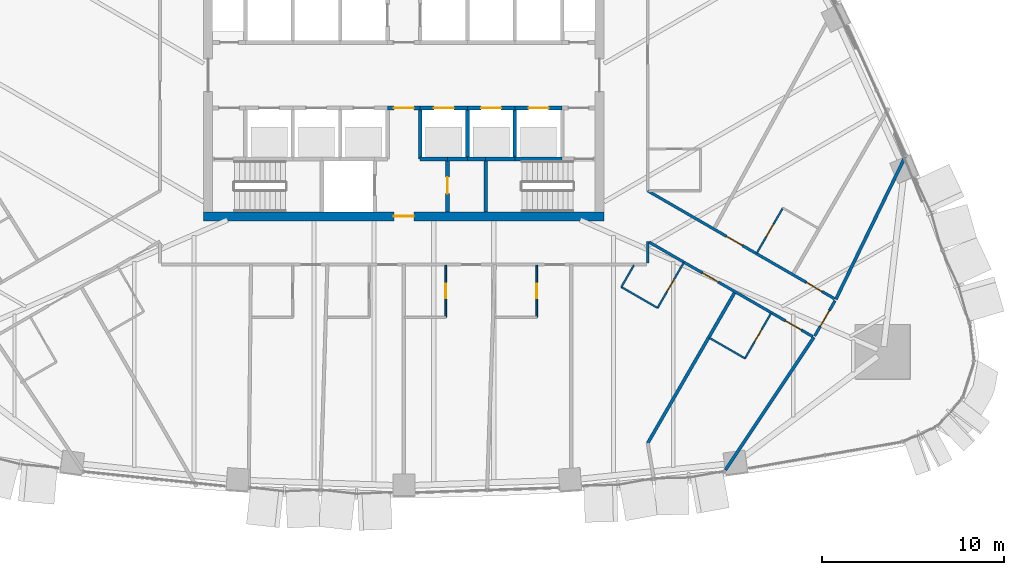
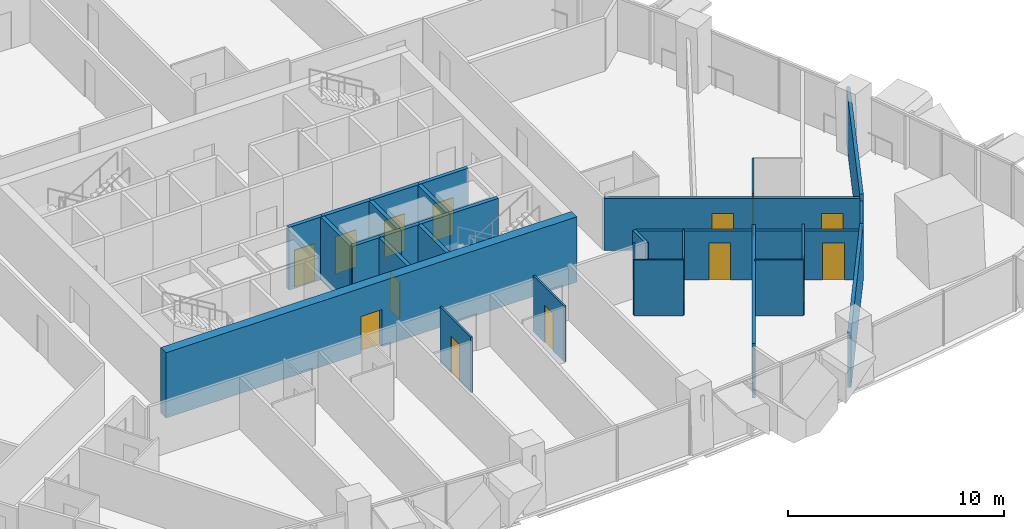
# One storey, part 13 of 19: 30 walls, 16 doors, 16 openings.
"""IFC4 building model written with IfcOpenShell, lengths in metres."""

import ifcopenshell
import ifcopenshell.guid

model = None  # the IFC model being written
_history = None  # IfcOwnerHistory: only IFC2X3 demands one
_inside = {}  # id of a spatial element -> (the spatial element, [elements in it])
_under = {}  # id of a project, library or spatial element -> (it, [spatial elements below it])
_declared = {}  # id of a project -> (the project, [libraries it declares])
_typed = {}  # id of a type object -> (the type object, [elements of that type])
_made_of = {}  # id of a material, layer set ... -> (it, [elements and type objects made of it])


def new_model(schema):
    """Start an empty IFC model of exactly this schema.

    Asked for "IFC4X3", IfcOpenShell would pick the latest addendum, in which some entities
    have other attributes; the version numbers below select the first issue.
    IFC2X3 requires an IfcOwnerHistory on every rooted entity: one is made here for all.
    """
    global model, _history
    if schema == "IFC4X3":
        model = ifcopenshell.file(schema_version=(4, 3, 0, 0))
    else:
        model = ifcopenshell.file(schema=schema)
    _inside.clear()
    _under.clear()
    _declared.clear()
    _typed.clear()
    _made_of.clear()
    _history = None
    if model.schema == "IFC2X3":
        org = make("IfcOrganization", Name="unknown")
        user = make(
            "IfcPersonAndOrganization",
            ThePerson=make("IfcPerson", FamilyName="unknown"),
            TheOrganization=org,
        )
        app = make(
            "IfcApplication",
            ApplicationDeveloper=org,
            Version="unknown",
            ApplicationFullName="unknown",
            ApplicationIdentifier="unknown",
        )
        _history = make(
            "IfcOwnerHistory",
            OwningUser=user,
            OwningApplication=app,
            ChangeAction="ADDED",
            CreationDate=0,
        )
    return model


def make(cls, **values):
    """One entity of the class cls with the attributes given. An attribute that is None is left unset."""
    return model.create_entity(
        cls, **{name: value for name, value in values.items() if value is not None}
    )


def rooted(cls, **values):
    """An entity with a GlobalId (a new one), such as an element, a storey or a relation."""
    return make(cls, GlobalId=ifcopenshell.guid.new(), OwnerHistory=_history, **values)


def si_unit(unit_type, name, prefix=None):
    """IfcSIUnit, for example si_unit("LENGTHUNIT", "METRE", prefix="MILLI")."""
    return make("IfcSIUnit", UnitType=unit_type, Prefix=prefix, Name=name)


def assignment(units):
    """IfcUnitAssignment: the units of a project."""
    return None if units is None else make("IfcUnitAssignment", Units=units)


def point(xyz):
    """IfcCartesianPoint."""
    return None if xyz is None else make("IfcCartesianPoint", Coordinates=xyz)


def direction(xyz):
    """IfcDirection."""
    return None if xyz is None else make("IfcDirection", DirectionRatios=xyz)


def frame(location, z_axis=None, x_axis=None):
    """IfcAxis2Placement3D, a coordinate frame: its origin and axes. An axis left out is left unset."""
    return make(
        "IfcAxis2Placement3D",
        Location=point(location),
        Axis=direction(z_axis),
        RefDirection=direction(x_axis),
    )


def frame_2d(location, x_axis=None):
    """IfcAxis2Placement2D, a coordinate frame in the plane: its origin and x axis."""
    return make(
        "IfcAxis2Placement2D", Location=point(location), RefDirection=direction(x_axis)
    )


def origin():
    """The frame at (0, 0, 0) with its axes left unset."""
    return frame((0.0, 0.0, 0.0))


def place(relative_to, where):
    """IfcLocalPlacement: puts the frame where relative to a parent placement (None: the world)."""
    return make(
        "IfcLocalPlacement", PlacementRelTo=relative_to, RelativePlacement=where
    )


def context(
    kind, dimensions, precision=None, world=None, true_north=None, identifier=None
):
    """IfcGeometricRepresentationContext, for example the 3D "Model" context."""
    return make(
        "IfcGeometricRepresentationContext",
        ContextIdentifier=identifier,
        ContextType=kind,
        CoordinateSpaceDimension=dimensions,
        Precision=precision,
        WorldCoordinateSystem=world,
        TrueNorth=true_north,
    )


def subcontext(parent, identifier, kind, view, scale=None):
    """IfcGeometricRepresentationSubContext, for example "Body" below "Model"."""
    return make(
        "IfcGeometricRepresentationSubContext",
        ContextIdentifier=identifier,
        ContextType=kind,
        ParentContext=parent,
        TargetScale=scale,
        TargetView=view,
    )


def project(units=None, contexts=None):
    """IfcProject with its units and contexts."""
    return rooted(
        "IfcProject",
        Name="project",
        RepresentationContexts=contexts,
        UnitsInContext=assignment(units),
    )


def spatial(cls, under=None, at=None, **own):
    """A site, building, storey or space (cls), placed at a placement, below another one or the project."""
    s = rooted(cls, ObjectPlacement=at, **own)
    if under is not None:
        _under.setdefault(under.id(), (under, []))[1].append(s)
    return s


def profile(cls, at=None, kind="AREA", **sizes):
    """A parametric profile (cls). Its sizes go by their IFC names, for example OverallWidth=200.0."""
    return make(cls, ProfileType=kind, Position=at, **sizes)


def rectangle(**sizes):
    """IfcRectangleProfileDef."""
    return profile("IfcRectangleProfileDef", **sizes)


def extrude(swept, where, along, depth):
    """IfcExtrudedAreaSolid: the profile swept, set in the frame where, extruded along a direction by depth."""
    return make(
        "IfcExtrudedAreaSolid",
        SweptArea=swept,
        Position=where,
        ExtrudedDirection=direction(along),
        Depth=depth,
    )


def shape(context_of_items, identifier, shape_type, items):
    """IfcShapeRepresentation: the items that make up one representation, for example the "Body"."""
    return make(
        "IfcShapeRepresentation",
        ContextOfItems=context_of_items,
        RepresentationIdentifier=identifier,
        RepresentationType=shape_type,
        Items=items,
    )


def material(Name=None, Category=None):
    """IfcMaterial."""
    return make("IfcMaterial", Name=Name, Category=Category)


def layer(
    of_material, thickness, ventilated=None, Name=None, Category=None, Priority=None
):
    """IfcMaterialLayer: one layer of a wall or slab, of a material (None: an air gap)."""
    return make(
        "IfcMaterialLayer",
        Material=of_material,
        LayerThickness=thickness,
        IsVentilated=ventilated,
        Name=Name,
        Category=Category,
        Priority=Priority,
    )


def layer_set(layers, Name=None):
    """IfcMaterialLayerSet."""
    return make("IfcMaterialLayerSet", MaterialLayers=layers, LayerSetName=Name)


def made_of(thing, what):
    """Note that an element or type object is made of a material, layer set ...; save() writes the relation."""
    if what is not None:
        _made_of.setdefault(what.id(), (what, []))[1].append(thing)
    return thing


def type_object(cls, material=None, **own):
    """A type object (cls), such as IfcWallType, which elements share."""
    return made_of(rooted(cls, **own), material)


def element(
    cls,
    number,
    at=None,
    inside=None,
    cuts=None,
    type_object=None,
    material=None,
    context=None,
    identifier="Body",
    shape_type=None,
    held_by="IfcProductDefinitionShape",
    body=None,
    shapes=None,
    **own,
):
    """One element of the class cls, such as IfcWall. Its Tag is "e" and its number.

    at: its placement. inside: the storey or other place that contains it. cuts: it is an
    opening in that element (IfcRelVoidsElement). A single representation is given by context,
    identifier, shape_type and body (its items); several are given by shapes. held_by: the class
    of the entity that holds the representations. save() writes the other relations.
    """
    e = rooted(cls, Tag="e%d" % number, ObjectPlacement=at, **own)
    if body is not None:
        shapes = [shape(context, identifier, shape_type, body)]
    if shapes is not None:
        e.Representation = make(held_by, Representations=shapes)
    if inside is not None:
        _inside.setdefault(inside.id(), (inside, []))[1].append(e)
    if cuts is not None:
        rooted(
            "IfcRelVoidsElement", RelatingBuildingElement=cuts, RelatedOpeningElement=e
        )
    if type_object is not None:
        _typed.setdefault(type_object.id(), (type_object, []))[1].append(e)
    return made_of(e, material)


def fill(opening, filler):
    """IfcRelFillsElement: the door or window that sits in an opening."""
    return rooted(
        "IfcRelFillsElement",
        RelatingOpeningElement=opening,
        RelatedBuildingElement=filler,
    )


def aggregate(whole, parts):
    """IfcRelAggregates: a whole, such as a stair, and the parts it consists of."""
    return rooted("IfcRelAggregates", RelatingObject=whole, RelatedObjects=parts)


def save(model, path):
    """Write the relations noted so far, then the file.

    IfcRelAggregates (storeys below a building ...), IfcRelContainedInSpatialStructure (elements
    in a storey), IfcRelDefinesByType, IfcRelAssociatesMaterial and IfcRelDeclares: one each for
    every whole, place, type object, material and project.
    """
    for whole, parts in _under.values():
        aggregate(whole, parts)
    for where, things in _inside.values():
        rooted(
            "IfcRelContainedInSpatialStructure",
            RelatedElements=things,
            RelatingStructure=where,
        )
    for kind, things in _typed.values():
        rooted("IfcRelDefinesByType", RelatedObjects=things, RelatingType=kind)
    for what, things in _made_of.values():
        rooted("IfcRelAssociatesMaterial", RelatedObjects=things, RelatingMaterial=what)
    for by, libraries in _declared.values():
        rooted("IfcRelDeclares", RelatingContext=by, RelatedDefinitions=libraries)
    model.write(path)


model = new_model("IFC4")

# Units and contexts
model_context = context("Model", 3, precision=1e-05, world=origin(), true_north=direction((0.0, 1.0)))
body_context = subcontext(model_context, "Body", "Model", "MODEL_VIEW")
ifc_project = project(units=[si_unit("LENGTHUNIT", "METRE"), si_unit("AREAUNIT", "SQUARE_METRE"), si_unit("VOLUMEUNIT", "CUBIC_METRE"), si_unit("PLANEANGLEUNIT", "RADIAN"), si_unit("MASSUNIT", "GRAM", prefix="KILO")], contexts=[model_context])

# Site, building, storey
site_placement = place(None, origin())
site = spatial("IfcSite", under=ifc_project, at=site_placement, CompositionType="ELEMENT")
building_placement = place(site_placement, origin())
building = spatial("IfcBuilding", under=site, at=building_placement, Name="Sierra Prisma Convention Tower", CompositionType="ELEMENT")
storey_placement = place(building_placement, frame((0.0, 0.0, 77.60009765625)))
storey = spatial("IfcBuildingStorey", under=building, at=storey_placement, Name="L15", CompositionType="ELEMENT", Elevation=77.60009765625)

# Wall, opening, door
ifc_material_1 = material(Name="Gypsum board partition", Category="gypsum")
ifc_layer_1 = layer(ifc_material_1, 0.10009765625)
ifc_layer_set_1 = layer_set([ifc_layer_1], Name="Bathroom partition 100")
wall_type_1 = type_object("IfcWallType", Name="Bathroom partition 100", PredefinedType="PARTITIONING", material=ifc_layer_set_1)
wall_1_placement = place(storey_placement, frame((2.300048828125, -10.429931640625, 0.0), z_axis=(0.0, 0.0, 1.0), x_axis=(0.0, -1.0, 0.0)))
wall_1 = element("IfcWall", 1, at=wall_1_placement, inside=storey, type_object=wall_type_1, Name="Partition L15 bath 17", PredefinedType="PARTITIONING", context=body_context, shape_type="SweptSolid", body=[
    extrude(rectangle(XDim=2.8701171875, YDim=0.10009765625, at=frame_2d((1.43505859375, 0.0))), origin(), (0.0, 0.0, 1.0), 3.14990234375),
])
opening_1_placement = place(wall_1_placement, frame((1.034912109375, 0.0, 0.0)))
opening_1 = element("IfcOpeningElement", 2, at=opening_1_placement, cuts=wall_1, Name="Opening L15-D011", PredefinedType="OPENING", context=body_context, shape_type="SweptSolid", body=[
    extrude(rectangle(XDim=0.800048828125, YDim=2.10009765625, at=frame_2d((0.39990234375, 1.050048828125))), frame((0.0, 0.050048828125, 0.0), z_axis=(0.0, -1.0, 0.0), x_axis=(1.0, 0.0, 0.0)), (0.0, 0.0, 1.0), 0.10009765625),
])
ifc_material_2 = material(Name="Solid core timber door leaf", Category="wood")
door_type_1 = type_object("IfcDoorType", Name="Door 800x2100 plain", OperationType="SINGLE_SWING_LEFT", PredefinedType="DOOR", material=ifc_material_2)
door_1_placement = place(opening_1_placement, origin())
door_1 = element("IfcDoor", 3, at=door_1_placement, inside=storey, type_object=door_type_1, Name="Door L15 27", OperationType="SINGLE_SWING_RIGHT", OverallHeight=2.10009765625, OverallWidth=0.800048828125, PredefinedType="DOOR", context=body_context, shape_type="SweptSolid", body=[
    extrude(rectangle(XDim=0.800048828125, YDim=2.10009765625, at=frame_2d((0.39990234375, 1.050048828125))), frame((0.0, 0.02490234375, 0.0), z_axis=(0.0, -1.0, 0.0), x_axis=(1.0, 0.0, 0.0)), (0.0, 0.0, 1.0), 0.050048828125),
])
fill(opening_1, door_1)

wall_2_placement = place(storey_placement, frame((7.300048828125, -10.429931640625, 0.0), z_axis=(0.0, 0.0, 1.0), x_axis=(0.0, -1.0, 0.0)))
wall_2 = element("IfcWall", 4, at=wall_2_placement, inside=storey, type_object=wall_type_1, Name="Partition L15 bath 21", PredefinedType="PARTITIONING", context=body_context, shape_type="SweptSolid", body=[
    extrude(rectangle(XDim=2.8701171875, YDim=0.10009765625, at=frame_2d((1.43505859375, 0.0))), origin(), (0.0, 0.0, 1.0), 3.14990234375),
])
opening_2_placement = place(wall_2_placement, frame((1.034912109375, 0.0, 0.0)))
opening_2 = element("IfcOpeningElement", 5, at=opening_2_placement, cuts=wall_2, Name="Opening L15-D012", PredefinedType="OPENING", context=body_context, shape_type="SweptSolid", body=[
    extrude(rectangle(XDim=0.800048828125, YDim=2.10009765625, at=frame_2d((0.39990234375, 1.050048828125))), frame((0.0, 0.050048828125, 0.0), z_axis=(0.0, -1.0, 0.0), x_axis=(1.0, 0.0, 0.0)), (0.0, 0.0, 1.0), 0.10009765625),
])
door_2_placement = place(opening_2_placement, origin())
door_2 = element("IfcDoor", 6, at=door_2_placement, inside=storey, type_object=door_type_1, Name="Door L15 29", OperationType="SINGLE_SWING_RIGHT", OverallHeight=2.10009765625, OverallWidth=0.800048828125, PredefinedType="DOOR", context=body_context, shape_type="SweptSolid", body=[
    extrude(rectangle(XDim=0.800048828125, YDim=2.10009765625, at=frame_2d((0.39990234375, 1.050048828125))), frame((0.0, 0.02490234375, 0.0), z_axis=(0.0, -1.0, 0.0), x_axis=(1.0, 0.0, 0.0)), (0.0, 0.0, 1.0), 0.050048828125),
])
fill(opening_2, door_2)

wall_3_placement = place(storey_placement, frame((15.376953125, -10.298095703125, 0.0), z_axis=(0.0, 0.0, 1.0), x_axis=(-0.499999802827, -0.866025517622, 0.0)))
wall_3 = element("IfcWall", 7, at=wall_3_placement, inside=storey, type_object=wall_type_1, Name="Partition L15 bath 23", PredefinedType="PARTITIONING", context=body_context, shape_type="SweptSolid", body=[
    extrude(rectangle(XDim=2.8701171875, YDim=0.10009765625, at=frame_2d((1.43505859375, 0.0))), origin(), (0.0, 0.0, 1.0), 2.796875),
])
opening_3_placement = place(wall_3_placement, frame((1.034912109375, 0.0, 0.0)))
opening_3 = element("IfcOpeningElement", 8, at=opening_3_placement, cuts=wall_3, Name="Opening L15-D013", PredefinedType="OPENING", context=body_context, shape_type="SweptSolid", body=[
    extrude(rectangle(XDim=0.800048828125, YDim=2.10009765625, at=frame_2d((0.39990234375, 1.050048828125))), frame((0.0, 0.050048828125, 0.0), z_axis=(0.0, -1.0, 0.0), x_axis=(1.0, 0.0, 0.0)), (0.0, 0.0, 1.0), 0.10009765625),
])
door_3_placement = place(opening_3_placement, origin())
door_3 = element("IfcDoor", 9, at=door_3_placement, inside=storey, type_object=door_type_1, Name="Door L15 31", OperationType="SINGLE_SWING_RIGHT", OverallHeight=2.10009765625, OverallWidth=0.800048828125, PredefinedType="DOOR", context=body_context, shape_type="SweptSolid", body=[
    extrude(rectangle(XDim=0.800048828125, YDim=2.10009765625, at=frame_2d((0.39990234375, 1.050048828125))), frame((0.0, 0.02490234375, 0.0), z_axis=(0.0, -1.0, 0.0), x_axis=(1.0, 0.0, 0.0)), (0.0, 0.0, 1.0), 0.050048828125),
])
fill(opening_3, door_3)

# Walls
wall_4_placement = place(storey_placement, frame((13.94189453125, -12.78369140625, 0.0), z_axis=(0.0, 0.0, 1.0), x_axis=(-0.866007057882, 0.500031774688, 0.0)))
element("IfcWall", 10, at=wall_4_placement, inside=storey, type_object=wall_type_1, Name="Partition L15 bath 24", PredefinedType="PARTITIONING", context=body_context, shape_type="SweptSolid", body=[
    extrude(rectangle(XDim=2.300048828125, YDim=0.10009765625, at=frame_2d((1.14990234375, 0.0))), origin(), (0.0, 0.0, 1.0), 3.14990234375),
])
wall_5_placement = place(storey_placement, frame((11.949951171875, -11.633544921875, 0.0), z_axis=(0.0, 0.0, 1.0), x_axis=(0.500087364259, 0.86597495813, 0.0)))
element("IfcWall", 11, at=wall_5_placement, inside=storey, type_object=wall_type_1, Name="Partition L15 bath 25", PredefinedType="PARTITIONING", context=body_context, shape_type="SweptSolid", body=[
    extrude(rectangle(XDim=1.389892578125, YDim=0.10009765625, at=frame_2d((0.69482421875, 0.0))), origin(), (0.0, 0.0, 1.0), 3.14990234375),
])

# Wall, opening, door
wall_6_placement = place(storey_placement, frame((20.17919921875, -13.07080078125, 0.0), z_axis=(0.0, 0.0, 1.0), x_axis=(-0.500036638401, -0.866004249561, 0.0)))
wall_6 = element("IfcWall", 12, at=wall_6_placement, inside=storey, type_object=wall_type_1, Name="Partition L15 bath 29", PredefinedType="PARTITIONING", context=body_context, shape_type="SweptSolid", body=[
    extrude(rectangle(XDim=2.869873046875, YDim=0.10009765625, at=frame_2d((1.43505859375, 0.0))), origin(), (0.0, 0.0, 1.0), 3.14990234375),
])
opening_4_placement = place(wall_6_placement, frame((1.034912109375, 0.0, 0.0)))
opening_4 = element("IfcOpeningElement", 13, at=opening_4_placement, cuts=wall_6, Name="Opening L15-D014", PredefinedType="OPENING", context=body_context, shape_type="SweptSolid", body=[
    extrude(rectangle(XDim=0.800048828125, YDim=2.10009765625, at=frame_2d((0.39990234375, 1.050048828125))), frame((0.0, 0.050048828125, 0.0), z_axis=(0.0, -1.0, 0.0), x_axis=(1.0, 0.0, 0.0)), (0.0, 0.0, 1.0), 0.10009765625),
])
door_4_placement = place(opening_4_placement, origin())
door_4 = element("IfcDoor", 14, at=door_4_placement, inside=storey, type_object=door_type_1, Name="Door L15 33", OperationType="SINGLE_SWING_RIGHT", OverallHeight=2.10009765625, OverallWidth=0.800048828125, PredefinedType="DOOR", context=body_context, shape_type="SweptSolid", body=[
    extrude(rectangle(XDim=0.800048828125, YDim=2.10009765625, at=frame_2d((0.39990234375, 1.050048828125))), frame((0.0, 0.02490234375, 0.0), z_axis=(0.0, -1.0, 0.0), x_axis=(1.0, 0.0, 0.0)), (0.0, 0.0, 1.0), 0.050048828125),
])
fill(opening_4, door_4)

# Wall
wall_7_placement = place(storey_placement, frame((18.744140625, -15.55615234375, 0.0), z_axis=(0.0, 0.0, 1.0), x_axis=(-0.866017224141, 0.500014167291, 0.0)))
element("IfcWall", 15, at=wall_7_placement, inside=storey, type_object=wall_type_1, Name="Partition L15 bath 30", PredefinedType="PARTITIONING", context=body_context, shape_type="SweptSolid", body=[
    extrude(rectangle(XDim=2.27001953125, YDim=0.10009765625, at=frame_2d((1.135009765625, 0.0))), origin(), (0.0, 0.0, 1.0), 3.14990234375),
])

# Wall, opening, door
wall_8_placement = place(storey_placement, frame((19.390625, -9.77490234375, 0.0), z_axis=(0.0, 0.0, 1.0), x_axis=(0.499999802827, 0.866025517622, 0.0)))
wall_8 = element("IfcWall", 16, at=wall_8_placement, inside=storey, type_object=wall_type_1, Name="Partition L15 bath 31", PredefinedType="PARTITIONING", context=body_context, shape_type="SweptSolid", body=[
    extrude(rectangle(XDim=2.8701171875, YDim=0.10009765625, at=frame_2d((1.43505859375, 0.0))), origin(), (0.0, 0.0, 1.0), 3.14990234375),
])
opening_5_placement = place(wall_8_placement, frame((1.034912109375, 0.0, 0.0)))
opening_5 = element("IfcOpeningElement", 17, at=opening_5_placement, cuts=wall_8, Name="Opening L15-D015", PredefinedType="OPENING", context=body_context, shape_type="SweptSolid", body=[
    extrude(rectangle(XDim=0.800048828125, YDim=2.10009765625, at=frame_2d((0.39990234375, 1.050048828125))), frame((0.0, 0.050048828125, 0.0), z_axis=(0.0, -1.0, 0.0), x_axis=(1.0, 0.0, 0.0)), (0.0, 0.0, 1.0), 0.10009765625),
])
door_5_placement = place(opening_5_placement, origin())
door_5 = element("IfcDoor", 18, at=door_5_placement, inside=storey, type_object=door_type_1, Name="Door L15 37", OperationType="SINGLE_SWING_LEFT", OverallHeight=2.10009765625, OverallWidth=0.800048828125, PredefinedType="DOOR", context=body_context, shape_type="SweptSolid", body=[
    extrude(rectangle(XDim=0.800048828125, YDim=2.10009765625, at=frame_2d((0.39990234375, 1.050048828125))), frame((0.0, 0.02490234375, 0.0), z_axis=(0.0, -1.0, 0.0), x_axis=(1.0, 0.0, 0.0)), (0.0, 0.0, 1.0), 0.050048828125),
])
fill(opening_5, door_5)

ifc_material_3 = material(Name="Concrete C30/37", Category="concrete")
ifc_layer_2 = layer(ifc_material_3, 0.199951171875)
ifc_layer_set_2 = layer_set([ifc_layer_2], Name="Core wall RC 200 C30/37")
wall_type_2 = type_object("IfcWallType", Name="Core wall RC 200 C30/37", PredefinedType="SOLIDWALL", material=ifc_layer_set_2)
wall_9_placement = place(storey_placement, frame((-0.89990234375, -1.800048828125, 0.0), z_axis=(0.0, 0.0, 1.0), x_axis=(1.0, 0.0, 0.0)))
wall_9 = element("IfcWall", 19, at=wall_9_placement, inside=storey, type_object=wall_type_2, Name="Core wall L15 32", PredefinedType="SOLIDWALL", context=body_context, shape_type="SweptSolid", body=[
    extrude(rectangle(XDim=1.7998046875, YDim=0.199951171875, at=frame_2d((0.89990234375, 0.0))), origin(), (0.0, 0.0, 1.0), 3.5498046875),
])
opening_6_placement = place(wall_9_placement, frame((0.35009765625, 0.0, 0.0)))
opening_6 = element("IfcOpeningElement", 20, at=opening_6_placement, cuts=wall_9, Name="Opening L15-D028", PredefinedType="OPENING", context=body_context, shape_type="SweptSolid", body=[
    extrude(rectangle(XDim=1.10009765625, YDim=2.10009765625, at=frame_2d((0.550048828125, 1.050048828125))), frame((0.0, 0.10009765625, 0.0), z_axis=(0.0, -1.0, 0.0), x_axis=(1.0, 0.0, 0.0)), (0.0, 0.0, 1.0), 0.199951171875),
])
ifc_material_4 = material(Name="Steel fire door leaf", Category="steel")
door_type_2 = type_object("IfcDoorType", Name="Door 1100x2100 FD30S", OperationType="SINGLE_SWING_LEFT", PredefinedType="DOOR", material=ifc_material_4)
door_6_placement = place(opening_6_placement, origin())
door_6 = element("IfcDoor", 21, at=door_6_placement, inside=storey, type_object=door_type_2, Name="Door L15 50", OperationType="SINGLE_SWING_LEFT", OverallHeight=2.10009765625, OverallWidth=1.10009765625, PredefinedType="DOOR", context=body_context, shape_type="SweptSolid", body=[
    extrude(rectangle(XDim=1.10009765625, YDim=2.10009765625, at=frame_2d((0.550048828125, 1.050048828125))), frame((0.0, 0.02490234375, 0.0), z_axis=(0.0, -1.0, 0.0), x_axis=(1.0, 0.0, 0.0)), (0.0, 0.0, 1.0), 0.050048828125),
])
fill(opening_6, door_6)

wall_10_placement = place(storey_placement, frame((0.89990234375, -1.800048828125, 0.0), z_axis=(0.0, 0.0, 1.0), x_axis=(1.0, 0.0, 0.0)))
wall_10 = element("IfcWall", 22, at=wall_10_placement, inside=storey, type_object=wall_type_2, Name="Core wall L15 34", PredefinedType="SOLIDWALL", context=body_context, shape_type="SweptSolid", body=[
    extrude(rectangle(XDim=2.60009765625, YDim=0.199951171875, at=frame_2d((1.300048828125, 0.0))), origin(), (0.0, 0.0, 1.0), 3.5498046875),
])
opening_7_placement = place(wall_10_placement, frame((0.75, 0.0, 0.0)))
opening_7 = element("IfcOpeningElement", 23, at=opening_7_placement, cuts=wall_10, Name="Opening L15-D019", PredefinedType="OPENING", context=body_context, shape_type="SweptSolid", body=[
    extrude(rectangle(XDim=1.10009765625, YDim=2.10009765625, at=frame_2d((0.550048828125, 1.050048828125))), frame((0.0, 0.10009765625, 0.0), z_axis=(0.0, -1.0, 0.0), x_axis=(1.0, 0.0, 0.0)), (0.0, 0.0, 1.0), 0.199951171875),
])
ifc_material_5 = material(Name="Steel fire door leaf", Category="steel")
door_type_3 = type_object("IfcDoorType", Name="Door 1100x2100 EI 90 sliding lift landing", OperationType="SLIDING_TO_LEFT", PredefinedType="DOOR", material=ifc_material_5)
door_7_placement = place(opening_7_placement, origin())
door_7 = element("IfcDoor", 24, at=door_7_placement, inside=storey, type_object=door_type_3, Name="Door L15 41", OperationType="SLIDING_TO_LEFT", OverallHeight=2.10009765625, OverallWidth=1.10009765625, PredefinedType="DOOR", context=body_context, shape_type="SweptSolid", body=[
    extrude(rectangle(XDim=1.10009765625, YDim=2.10009765625, at=frame_2d((0.550048828125, 1.050048828125))), frame((0.0, 0.02490234375, 0.0), z_axis=(0.0, -1.0, 0.0), x_axis=(1.0, 0.0, 0.0)), (0.0, 0.0, 1.0), 0.050048828125),
])
fill(opening_7, door_7)

# Walls
wall_11_placement = place(storey_placement, frame((0.89990234375, -1.800048828125, 0.0), z_axis=(0.0, 0.0, 1.0), x_axis=(0.0, -1.0, 0.0)))
element("IfcWall", 25, at=wall_11_placement, inside=storey, type_object=wall_type_2, Name="Core wall L15 35", PredefinedType="SOLIDWALL", context=body_context, shape_type="SweptSolid", body=[
    extrude(rectangle(XDim=2.800048828125, YDim=0.199951171875, at=frame_2d((1.39990234375, 0.0))), origin(), (0.0, 0.0, 1.0), 3.5498046875),
])
wall_12_placement = place(storey_placement, frame((0.89990234375, -4.60009765625, 0.0), z_axis=(0.0, 0.0, 1.0), x_axis=(1.0, 0.0, 0.0)))
element("IfcWall", 26, at=wall_12_placement, inside=storey, type_object=wall_type_2, Name="Core wall L15 36", PredefinedType="SOLIDWALL", context=body_context, shape_type="SweptSolid", body=[
    extrude(rectangle(XDim=1.5, YDim=0.199951171875, at=frame_2d((0.75, 0.0))), origin(), (0.0, 0.0, 1.0), 3.5498046875),
])

# Wall, opening, door
wall_13_placement = place(storey_placement, frame((2.39990234375, -4.60009765625, 0.0), z_axis=(0.0, 0.0, 1.0), x_axis=(0.0, -1.0, 0.0)))
wall_13 = element("IfcWall", 27, at=wall_13_placement, inside=storey, type_object=wall_type_2, Name="Core wall L15 41", PredefinedType="SOLIDWALL", context=body_context, shape_type="SweptSolid", body=[
    extrude(rectangle(XDim=2.89990234375, YDim=0.199951171875, at=frame_2d((1.449951171875, 0.0))), origin(), (0.0, 0.0, 1.0), 3.5498046875),
])
opening_8_placement = place(wall_13_placement, frame((1.0, 0.0, 0.0)))
opening_8 = element("IfcOpeningElement", 28, at=opening_8_placement, cuts=wall_13, Name="Opening L15-D035", PredefinedType="OPENING", context=body_context, shape_type="SweptSolid", body=[
    extrude(rectangle(XDim=0.89990234375, YDim=2.10009765625, at=frame_2d((0.449951171875, 1.050048828125))), frame((0.0, 0.10009765625, 0.0), z_axis=(0.0, -1.0, 0.0), x_axis=(1.0, 0.0, 0.0)), (0.0, 0.0, 1.0), 0.199951171875),
])
ifc_material_6 = material(Name="Steel fire door leaf", Category="steel")
door_type_4 = type_object("IfcDoorType", Name="Door 900x2100 FD30S", OperationType="SINGLE_SWING_LEFT", PredefinedType="DOOR", material=ifc_material_6)
door_8_placement = place(opening_8_placement, origin())
door_8 = element("IfcDoor", 29, at=door_8_placement, inside=storey, type_object=door_type_4, Name="Door L15 57", OperationType="SINGLE_SWING_RIGHT", OverallHeight=2.10009765625, OverallWidth=0.89990234375, PredefinedType="DOOR", context=body_context, shape_type="SweptSolid", body=[
    extrude(rectangle(XDim=0.89990234375, YDim=2.10009765625, at=frame_2d((0.449951171875, 1.050048828125))), frame((0.0, 0.02490234375, 0.0), z_axis=(0.0, -1.0, 0.0), x_axis=(1.0, 0.0, 0.0)), (0.0, 0.0, 1.0), 0.050048828125),
])
fill(opening_8, door_8)

# Walls
wall_14_placement = place(storey_placement, frame((3.5, -4.60009765625, 0.0), z_axis=(0.0, 0.0, 1.0), x_axis=(-1.0, 0.0, 0.0)))
element("IfcWall", 30, at=wall_14_placement, inside=storey, type_object=wall_type_2, Name="Core wall L15 42", PredefinedType="SOLIDWALL", context=body_context, shape_type="SweptSolid", body=[
    extrude(rectangle(XDim=1.10009765625, YDim=0.199951171875, at=frame_2d((0.550048828125, 0.0))), origin(), (0.0, 0.0, 1.0), 3.5498046875),
])
wall_15_placement = place(storey_placement, frame((4.5, -4.60009765625, 0.0), z_axis=(0.0, 0.0, 1.0), x_axis=(-1.0, 0.0, 0.0)))
element("IfcWall", 31, at=wall_15_placement, inside=storey, type_object=wall_type_2, Name="Core wall L15 43", PredefinedType="SOLIDWALL", context=body_context, shape_type="SweptSolid", body=[
    extrude(rectangle(XDim=1.0, YDim=0.199951171875, at=frame_2d((0.5, 0.0))), origin(), (0.0, 0.0, 1.0), 3.5498046875),
])
wall_16_placement = place(storey_placement, frame((3.5, -4.60009765625, 0.0), z_axis=(0.0, 0.0, 1.0), x_axis=(0.0, 1.0, 0.0)))
element("IfcWall", 32, at=wall_16_placement, inside=storey, type_object=wall_type_2, Name="Core wall L15 44", PredefinedType="SOLIDWALL", context=body_context, shape_type="SweptSolid", body=[
    extrude(rectangle(XDim=2.800048828125, YDim=0.199951171875, at=frame_2d((1.39990234375, 0.0))), origin(), (0.0, 0.0, 1.0), 3.5498046875),
])

# Wall, opening, door
wall_17_placement = place(storey_placement, frame((3.5, -1.800048828125, 0.0), z_axis=(0.0, 0.0, 1.0), x_axis=(1.0, 0.0, 0.0)))
wall_17 = element("IfcWall", 33, at=wall_17_placement, inside=storey, type_object=wall_type_2, Name="Core wall L15 45", PredefinedType="SOLIDWALL", context=body_context, shape_type="SweptSolid", body=[
    extrude(rectangle(XDim=2.60009765625, YDim=0.199951171875, at=frame_2d((1.300048828125, 0.0))), origin(), (0.0, 0.0, 1.0), 3.5498046875),
])
opening_9_placement = place(wall_17_placement, frame((0.75, 0.0, 0.0)))
opening_9 = element("IfcOpeningElement", 34, at=opening_9_placement, cuts=wall_17, Name="Opening L15-D020", PredefinedType="OPENING", context=body_context, shape_type="SweptSolid", body=[
    extrude(rectangle(XDim=1.10009765625, YDim=2.10009765625, at=frame_2d((0.550048828125, 1.050048828125))), frame((0.0, 0.10009765625, 0.0), z_axis=(0.0, -1.0, 0.0), x_axis=(1.0, 0.0, 0.0)), (0.0, 0.0, 1.0), 0.199951171875),
])
door_9_placement = place(opening_9_placement, origin())
door_9 = element("IfcDoor", 35, at=door_9_placement, inside=storey, type_object=door_type_3, Name="Door L15 42", OperationType="SLIDING_TO_RIGHT", OverallHeight=2.10009765625, OverallWidth=1.10009765625, PredefinedType="DOOR", context=body_context, shape_type="SweptSolid", body=[
    extrude(rectangle(XDim=1.10009765625, YDim=2.10009765625, at=frame_2d((0.550048828125, 1.050048828125))), frame((0.0, 0.02490234375, 0.0), z_axis=(0.0, -1.0, 0.0), x_axis=(1.0, 0.0, 0.0)), (0.0, 0.0, 1.0), 0.050048828125),
])
fill(opening_9, door_9)

# Walls
wall_18_placement = place(storey_placement, frame((4.5, -7.5, 0.0), z_axis=(0.0, 0.0, 1.0), x_axis=(0.0, 1.0, 0.0)))
element("IfcWall", 36, at=wall_18_placement, inside=storey, type_object=wall_type_2, Name="Core wall L15 51", PredefinedType="SOLIDWALL", context=body_context, shape_type="SweptSolid", body=[
    extrude(rectangle(XDim=2.89990234375, YDim=0.199951171875, at=frame_2d((1.449951171875, 0.0))), origin(), (0.0, 0.0, 1.0), 3.5498046875),
])
wall_19_placement = place(storey_placement, frame((4.5, -4.60009765625, 0.0), z_axis=(0.0, 0.0, 1.0), x_axis=(1.0, 0.0, 0.0)))
element("IfcWall", 37, at=wall_19_placement, inside=storey, type_object=wall_type_2, Name="Core wall L15 52", PredefinedType="SOLIDWALL", context=body_context, shape_type="SweptSolid", body=[
    extrude(rectangle(XDim=1.60009765625, YDim=0.199951171875, at=frame_2d((0.800048828125, 0.0))), origin(), (0.0, 0.0, 1.0), 3.5498046875),
])
wall_20_placement = place(storey_placement, frame((6.10009765625, -4.60009765625, 0.0), z_axis=(0.0, 0.0, 1.0), x_axis=(1.0, 0.0, 0.0)))
element("IfcWall", 38, at=wall_20_placement, inside=storey, type_object=wall_type_2, Name="Core wall L15 53", PredefinedType="SOLIDWALL", context=body_context, shape_type="SweptSolid", body=[
    extrude(rectangle(XDim=2.599853515625, YDim=0.199951171875, at=frame_2d((1.2998046875, 0.0))), origin(), (0.0, 0.0, 1.0), 3.5498046875),
])
wall_21_placement = place(storey_placement, frame((6.10009765625, -4.60009765625, 0.0), z_axis=(0.0, 0.0, 1.0), x_axis=(0.0, 1.0, 0.0)))
element("IfcWall", 39, at=wall_21_placement, inside=storey, type_object=wall_type_2, Name="Core wall L15 54", PredefinedType="SOLIDWALL", context=body_context, shape_type="SweptSolid", body=[
    extrude(rectangle(XDim=2.800048828125, YDim=0.199951171875, at=frame_2d((1.39990234375, 0.0))), origin(), (0.0, 0.0, 1.0), 3.5498046875),
])

# Wall, opening, door
wall_22_placement = place(storey_placement, frame((6.10009765625, -1.800048828125, 0.0), z_axis=(0.0, 0.0, 1.0), x_axis=(1.0, 0.0, 0.0)))
wall_22 = element("IfcWall", 40, at=wall_22_placement, inside=storey, type_object=wall_type_2, Name="Core wall L15 55", PredefinedType="SOLIDWALL", context=body_context, shape_type="SweptSolid", body=[
    extrude(rectangle(XDim=2.599853515625, YDim=0.199951171875, at=frame_2d((1.2998046875, 0.0))), origin(), (0.0, 0.0, 1.0), 3.5498046875),
])
opening_10_placement = place(wall_22_placement, frame((0.75, 0.0, 0.0)))
opening_10 = element("IfcOpeningElement", 41, at=opening_10_placement, cuts=wall_22, Name="Opening L15-D021", PredefinedType="OPENING", context=body_context, shape_type="SweptSolid", body=[
    extrude(rectangle(XDim=1.10009765625, YDim=2.10009765625, at=frame_2d((0.550048828125, 1.050048828125))), frame((0.0, 0.10009765625, 0.0), z_axis=(0.0, -1.0, 0.0), x_axis=(1.0, 0.0, 0.0)), (0.0, 0.0, 1.0), 0.199951171875),
])
door_10_placement = place(opening_10_placement, origin())
door_10 = element("IfcDoor", 42, at=door_10_placement, inside=storey, type_object=door_type_3, Name="Door L15 43", OperationType="SLIDING_TO_LEFT", OverallHeight=2.10009765625, OverallWidth=1.10009765625, PredefinedType="DOOR", context=body_context, shape_type="SweptSolid", body=[
    extrude(rectangle(XDim=1.10009765625, YDim=2.10009765625, at=frame_2d((0.550048828125, 1.050048828125))), frame((0.0, 0.02490234375, 0.0), z_axis=(0.0, -1.0, 0.0), x_axis=(1.0, 0.0, 0.0)), (0.0, 0.0, 1.0), 0.050048828125),
])
fill(opening_10, door_10)

ifc_material_7 = material(Name="Concrete C60/75", Category="concrete")
ifc_layer_3 = layer(ifc_material_7, 0.5)
ifc_layer_set_3 = layer_set([ifc_layer_3], Name="Core wall RC 500 C60/75")
wall_type_3 = type_object("IfcWallType", Name="Core wall RC 500 C60/75", PredefinedType="SHEAR", material=ifc_layer_set_3)
wall_23_placement = place(storey_placement, frame((-11.0, -7.75, 0.0), z_axis=(0.0, 0.0, 1.0), x_axis=(1.0, 0.0, 0.0)))
wall_23 = element("IfcWall", 43, at=wall_23_placement, inside=storey, type_object=wall_type_3, Name="Core wall S L15", PredefinedType="SHEAR", context=body_context, shape_type="SweptSolid", body=[
    extrude(rectangle(XDim=22.0, YDim=0.5, at=frame_2d((11.0, 0.0))), origin(), (0.0, 0.0, 1.0), 3.699951171875),
])
opening_11_placement = place(wall_23_placement, frame((10.449951171875, 0.0, 0.0)))
opening_11 = element("IfcOpeningElement", 44, at=opening_11_placement, cuts=wall_23, Name="Opening L15-D060", PredefinedType="OPENING", context=body_context, shape_type="SweptSolid", body=[
    extrude(rectangle(XDim=1.10009765625, YDim=2.10009765625, at=frame_2d((0.550048828125, 1.050048828125))), frame((0.0, 0.25, 0.0), z_axis=(0.0, -1.0, 0.0), x_axis=(1.0, 0.0, 0.0)), (0.0, 0.0, 1.0), 0.5),
])
door_11_placement = place(opening_11_placement, origin())
door_11 = element("IfcDoor", 45, at=door_11_placement, inside=storey, type_object=door_type_2, Name="Door L15 61", OperationType="SINGLE_SWING_LEFT", OverallHeight=2.10009765625, OverallWidth=1.10009765625, PredefinedType="DOOR", context=body_context, shape_type="SweptSolid", body=[
    extrude(rectangle(XDim=1.10009765625, YDim=2.10009765625, at=frame_2d((0.550048828125, 1.050048828125))), frame((0.0, 0.02490234375, 0.0), z_axis=(0.0, -1.0, 0.0), x_axis=(1.0, 0.0, 0.0)), (0.0, 0.0, 1.0), 0.050048828125),
])
fill(opening_11, door_11)

# Wall
ifc_material_8 = material(Name="Gypsum board partition", Category="gypsum")
ifc_layer_4 = layer(ifc_material_8, 0.14990234375)
ifc_layer_set_4 = layer_set([ifc_layer_4], Name="Corridor wall 150 gypsum EI 60")
wall_type_4 = type_object("IfcWallType", Name="Corridor wall 150 gypsum EI 60", PredefinedType="PARTITIONING", material=ifc_layer_set_4)
wall_24_placement = place(storey_placement, frame((13.39990234375, -10.320068359375, 0.0), z_axis=(0.0, 0.0, 1.0), x_axis=(0.0, 1.0, 0.0)))
element("IfcWall", 46, at=wall_24_placement, inside=storey, type_object=wall_type_4, Name="Partition L15 corr 14", PredefinedType="PARTITIONING", context=body_context, shape_type="SweptSolid", body=[
    extrude(rectangle(XDim=1.197998046875, YDim=0.14990234375, at=frame_2d((0.59912109375, 0.0))), origin(), (0.0, 0.0, 1.0), 2.796875),
])

# Wall, openings, doors
wall_25_placement = place(storey_placement, frame((13.479248046875, -9.16796875, 0.0), z_axis=(0.0, 0.0, 1.0), x_axis=(0.866028819782, -0.499994083273, 0.0)))
wall_25 = element("IfcWall", 47, at=wall_25_placement, inside=storey, type_object=wall_type_4, Name="Partition L15 corr 15", PredefinedType="PARTITIONING", context=body_context, shape_type="SweptSolid", body=[
    extrude(rectangle(XDim=10.373779296875, YDim=0.14990234375, at=frame_2d((5.18701171875, 0.0))), origin(), (0.0, 0.0, 1.0), 2.796875),
])
opening_12_placement = place(wall_25_placement, frame((3.381103515625, 0.0, 0.0)))
opening_12 = element("IfcOpeningElement", 48, at=opening_12_placement, cuts=wall_25, Name="Opening L15-D053", PredefinedType="OPENING", context=body_context, shape_type="SweptSolid", body=[
    extrude(rectangle(XDim=1.0, YDim=2.10009765625, at=frame_2d((0.5, 1.050048828125))), frame((0.0, 0.074951171875, 0.0), z_axis=(0.0, -1.0, 0.0), x_axis=(1.0, 0.0, 0.0)), (0.0, 0.0, 1.0), 0.14990234375),
])
opening_13_placement = place(wall_25_placement, frame((8.653564453125, 0.0, 0.0)))
opening_13 = element("IfcOpeningElement", 49, at=opening_13_placement, cuts=wall_25, Name="Opening L15-D054", PredefinedType="OPENING", context=body_context, shape_type="SweptSolid", body=[
    extrude(rectangle(XDim=1.0, YDim=2.10009765625, at=frame_2d((0.5, 1.050048828125))), frame((0.0, 0.074951171875, 0.0), z_axis=(0.0, -1.0, 0.0), x_axis=(1.0, 0.0, 0.0)), (0.0, 0.0, 1.0), 0.14990234375),
])
ifc_material_9 = material(Name="Steel fire door leaf", Category="steel")
door_type_5 = type_object("IfcDoorType", Name="Door 1000x2100 FD30S", OperationType="SINGLE_SWING_LEFT", PredefinedType="DOOR", material=ifc_material_9)
door_12_placement = place(opening_12_placement, origin())
door_12 = element("IfcDoor", 50, at=door_12_placement, inside=storey, type_object=door_type_5, Name="Door L15 30", OperationType="SINGLE_SWING_LEFT", OverallHeight=2.10009765625, OverallWidth=1.0, PredefinedType="DOOR", context=body_context, shape_type="SweptSolid", body=[
    extrude(rectangle(XDim=1.0, YDim=2.10009765625, at=frame_2d((0.5, 1.050048828125))), frame((0.0, 0.02490234375, 0.0), z_axis=(0.0, -1.0, 0.0), x_axis=(1.0, 0.0, 0.0)), (0.0, 0.0, 1.0), 0.050048828125),
])
fill(opening_12, door_12)
door_13_placement = place(opening_13_placement, origin())
door_13 = element("IfcDoor", 51, at=door_13_placement, inside=storey, type_object=door_type_5, Name="Door L15 32", OperationType="SINGLE_SWING_LEFT", OverallHeight=2.10009765625, OverallWidth=1.0, PredefinedType="DOOR", context=body_context, shape_type="SweptSolid", body=[
    extrude(rectangle(XDim=1.0, YDim=2.10009765625, at=frame_2d((0.5, 1.050048828125))), frame((0.0, 0.02490234375, 0.0), z_axis=(0.0, -1.0, 0.0), x_axis=(1.0, 0.0, 0.0)), (0.0, 0.0, 1.0), 0.050048828125),
])
fill(opening_13, door_13)

wall_26_placement = place(storey_placement, frame((23.6630859375, -12.276123046875, 0.0), z_axis=(0.0, 0.0, 1.0), x_axis=(-0.866031207587, 0.499989947384, 0.0)))
wall_26 = element("IfcWall", 52, at=wall_26_placement, inside=storey, type_object=wall_type_4, Name="Partition L15 corr 16", PredefinedType="PARTITIONING", context=body_context, shape_type="SweptSolid", body=[
    extrude(rectangle(XDim=11.850830078125, YDim=0.14990234375, at=frame_2d((5.92529296875, 0.0))), origin(), (0.0, 0.0, 1.0), 2.947021484375),
])
opening_14_placement = place(wall_26_placement, frame((0.785400390625, 0.0, 0.0)))
opening_14 = element("IfcOpeningElement", 53, at=opening_14_placement, cuts=wall_26, Name="Opening L15-D056", PredefinedType="OPENING", context=body_context, shape_type="SweptSolid", body=[
    extrude(rectangle(XDim=1.0, YDim=2.10009765625, at=frame_2d((0.5, 1.050048828125))), frame((0.0, 0.074951171875, 0.0), z_axis=(0.0, -1.0, 0.0), x_axis=(1.0, 0.0, 0.0)), (0.0, 0.0, 1.0), 0.14990234375),
])
opening_15_placement = place(wall_26_placement, frame((5.850830078125, 0.0, 0.0)))
opening_15 = element("IfcOpeningElement", 54, at=opening_15_placement, cuts=wall_26, Name="Opening L15-D057", PredefinedType="OPENING", context=body_context, shape_type="SweptSolid", body=[
    extrude(rectangle(XDim=1.0, YDim=2.10009765625, at=frame_2d((0.5, 1.050048828125))), frame((0.0, 0.074951171875, 0.0), z_axis=(0.0, -1.0, 0.0), x_axis=(1.0, 0.0, 0.0)), (0.0, 0.0, 1.0), 0.14990234375),
])
door_14_placement = place(opening_14_placement, origin())
door_14 = element("IfcDoor", 55, at=door_14_placement, inside=storey, type_object=door_type_5, Name="Door L15 35", OperationType="SINGLE_SWING_RIGHT", OverallHeight=2.10009765625, OverallWidth=1.0, PredefinedType="DOOR", context=body_context, shape_type="SweptSolid", body=[
    extrude(rectangle(XDim=1.0, YDim=2.10009765625, at=frame_2d((0.5, 1.050048828125))), frame((0.0, 0.02490234375, 0.0), z_axis=(0.0, -1.0, 0.0), x_axis=(1.0, 0.0, 0.0)), (0.0, 0.0, 1.0), 0.050048828125),
])
fill(opening_14, door_14)
door_15_placement = place(opening_15_placement, origin())
door_15 = element("IfcDoor", 56, at=door_15_placement, inside=storey, type_object=door_type_5, Name="Door L15 36", OperationType="SINGLE_SWING_LEFT", OverallHeight=2.10009765625, OverallWidth=1.0, PredefinedType="DOOR", context=body_context, shape_type="SweptSolid", body=[
    extrude(rectangle(XDim=1.0, YDim=2.10009765625, at=frame_2d((0.5, 1.050048828125))), frame((0.0, 0.02490234375, 0.0), z_axis=(0.0, -1.0, 0.0), x_axis=(1.0, 0.0, 0.0)), (0.0, 0.0, 1.0), 0.050048828125),
])
fill(opening_15, door_15)

# Wall, opening, door
wall_27_placement = place(storey_placement, frame((22.572509765625, -14.325439453125, 0.0), z_axis=(0.0, 0.0, 1.0), x_axis=(0.49994888933, 0.866054910533, 0.0)))
wall_27 = element("IfcWall", 57, at=wall_27_placement, inside=storey, type_object=wall_type_4, Name="Partition L15 corr 18", PredefinedType="PARTITIONING", context=body_context, shape_type="SweptSolid", body=[
    extrude(rectangle(XDim=2.239990234375, YDim=0.14990234375, at=frame_2d((1.1201171875, 0.0))), origin(), (0.0, 0.0, 1.0), 2.796875),
])
opening_16_placement = place(wall_27_placement, frame((0.6201171875, 0.0, 0.0)))
opening_16 = element("IfcOpeningElement", 58, at=opening_16_placement, cuts=wall_27, Name="Opening L15-D055", PredefinedType="OPENING", context=body_context, shape_type="SweptSolid", body=[
    extrude(rectangle(XDim=1.0, YDim=2.10009765625, at=frame_2d((0.5, 1.050048828125))), frame((0.0, 0.074951171875, 0.0), z_axis=(0.0, -1.0, 0.0), x_axis=(1.0, 0.0, 0.0)), (0.0, 0.0, 1.0), 0.14990234375),
])
door_16_placement = place(opening_16_placement, origin())
door_16 = element("IfcDoor", 59, at=door_16_placement, inside=storey, type_object=door_type_5, Name="Door L15 34", OperationType="SINGLE_SWING_LEFT", OverallHeight=2.10009765625, OverallWidth=1.0, PredefinedType="DOOR", context=body_context, shape_type="SweptSolid", body=[
    extrude(rectangle(XDim=1.0, YDim=2.10009765625, at=frame_2d((0.5, 1.050048828125))), frame((0.0, 0.02490234375, 0.0), z_axis=(0.0, -1.0, 0.0), x_axis=(1.0, 0.0, 0.0)), (0.0, 0.0, 1.0), 0.050048828125),
])
fill(opening_16, door_16)

# Walls
ifc_material_10 = material(Name="Acoustic gypsum board partition", Category="gypsum")
ifc_layer_5 = layer(ifc_material_10, 0.175048828125)
ifc_layer_set_5 = layer_set([ifc_layer_5], Name="Guest room party wall 175 acoustic EI 60")
wall_type_5 = type_object("IfcWallType", Name="Guest room party wall 175 acoustic EI 60", PredefinedType="PARTITIONING", material=ifc_layer_set_5)
wall_28_placement = place(storey_placement, frame((18.2021484375, -11.894775390625, 0.0), z_axis=(0.0, 0.0, 1.0), x_axis=(-0.500004836318, -0.866022611517, 0.0)))
element("IfcWall", 60, at=wall_28_placement, inside=storey, type_object=wall_type_5, Name="Partition L15 hparty 18", PredefinedType="PARTITIONING", context=body_context, shape_type="SweptSolid", body=[
    extrude(rectangle(XDim=9.6044921875, YDim=0.175048828125, at=frame_2d((4.80224609375, 0.0))), origin(), (0.0, 0.0, 1.0), 3.093017578125),
])
wall_29_placement = place(storey_placement, frame((22.532470703125, -14.394775390625, 0.0), z_axis=(0.0, 0.0, 1.0), x_axis=(-0.554931610564, -0.83189597162, 0.0)))
element("IfcWall", 61, at=wall_29_placement, inside=storey, type_object=wall_type_5, Name="Partition L15 hparty 24", PredefinedType="PARTITIONING", context=body_context, shape_type="SweptSolid", body=[
    extrude(rectangle(XDim=8.763671875, YDim=0.175048828125, at=frame_2d((4.3818359375, 0.0))), origin(), (0.0, 0.0, 1.0), 3.14990234375),
])
wall_30_placement = place(storey_placement, frame((23.732421875, -12.316162109375, 0.0), z_axis=(0.0, 0.0, 1.0), x_axis=(0.437369474661, 0.899281903874, 0.0)))
element("IfcWall", 62, at=wall_30_placement, inside=storey, type_object=wall_type_5, Name="Partition L15 hparty 26", PredefinedType="PARTITIONING", context=body_context, shape_type="SweptSolid", body=[
    extrude(rectangle(XDim=8.7041015625, YDim=0.175048828125, at=frame_2d((4.35205078125, 0.0))), origin(), (0.0, 0.0, 1.0), 3.14990234375),
])

save(model, "model.ifc")
